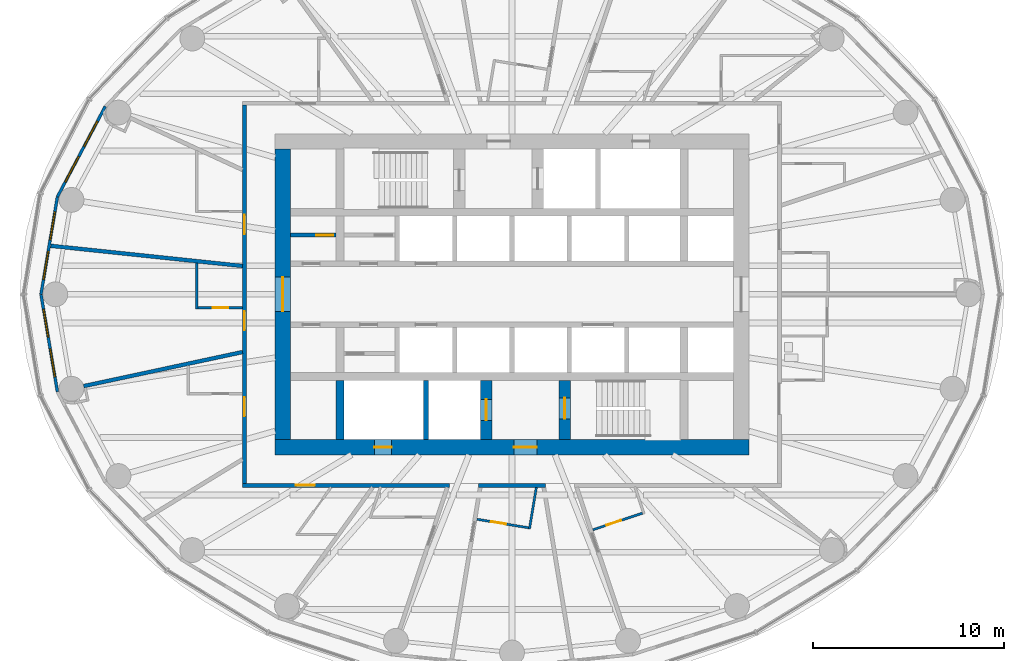
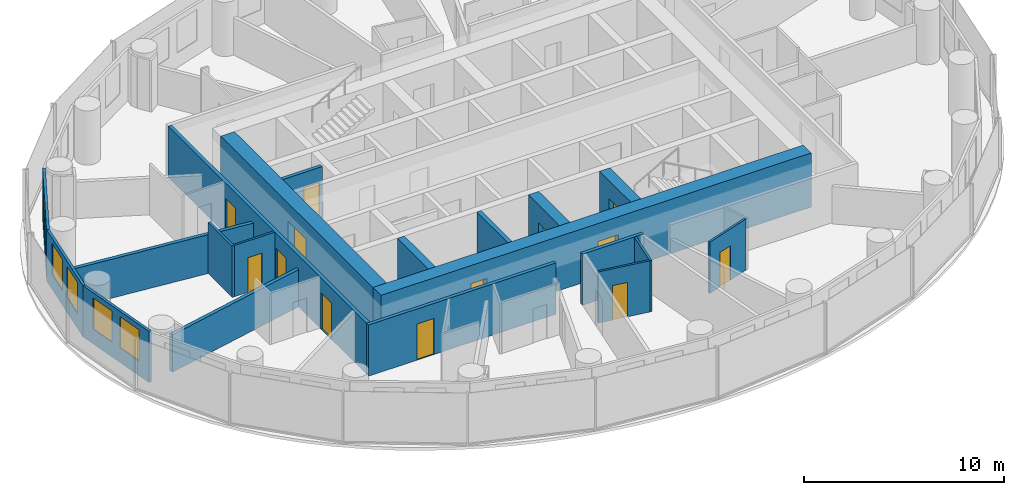
# One storey, part 7 of 13: 20 walls, 13 doors, 6 windows, 19 openings.
"""IFC4 building model written with IfcOpenShell, lengths in metres."""

from ifc_helpers import new_model, si_unit, direction, frame, frame_2d, origin, place, context, subcontext, project, spatial, rectangle, extrude, material, layer, layer_set, type_object, element, fill, save


model = new_model("IFC4")

# Units and contexts
model_context = context("Model", 3, precision=1e-05, world=origin(), true_north=direction((0.0, 1.0)))
body_context = subcontext(model_context, "Body", "Model", "MODEL_VIEW")
ifc_project = project(units=[si_unit("LENGTHUNIT", "METRE"), si_unit("AREAUNIT", "SQUARE_METRE"), si_unit("VOLUMEUNIT", "CUBIC_METRE"), si_unit("PLANEANGLEUNIT", "RADIAN"), si_unit("MASSUNIT", "GRAM", prefix="KILO")], contexts=[model_context])

# Site, building, storey
site_placement = place(None, origin())
site = spatial("IfcSite", under=ifc_project, at=site_placement, CompositionType="ELEMENT")
building_placement = place(site_placement, origin())
building = spatial("IfcBuilding", under=site, at=building_placement, Name="Hankou Lantern Tower", CompositionType="ELEMENT")
storey_placement = place(building_placement, frame((0.0, 0.0, 105.60009765625)))
storey = spatial("IfcBuildingStorey", under=building, at=storey_placement, Name="L26", CompositionType="ELEMENT", Elevation=105.60009765625)

# Wall, openings, doors
ifc_material_1 = material(Name="Concrete C60", Category="concrete")
ifc_layer_1 = layer(ifc_material_1, 0.800048828125)
ifc_layer_set_1 = layer_set([ifc_layer_1], Name="Concrete C60")
wall_type_1 = type_object("IfcWallType", Name="CW2 CORE WALL 800", PredefinedType="SHEAR", material=ifc_layer_set_1)
wall_1_placement = place(storey_placement, frame((12.39990234375, -8.0, 0.0), z_axis=(0.0, 0.0, 1.0), x_axis=(-1.0, 0.0, 0.0)))
wall_1 = element("IfcWall", 1, at=wall_1_placement, inside=storey, type_object=wall_type_1, Name="Core wall south L26", PredefinedType="SHEAR", context=body_context, shape_type="SweptSolid", body=[
    extrude(rectangle(XDim=24.7998046875, YDim=0.800048828125, at=frame_2d((12.39990234375, 0.0))), origin(), (0.0, 0.0, 1.0), 3.2998046875),
])
opening_1_placement = place(wall_1_placement, frame((11.10009765625, 0.0, 0.0)))
opening_1 = element("IfcOpeningElement", 2, at=opening_1_placement, cuts=wall_1, Name="Opening D5", PredefinedType="OPENING", context=body_context, shape_type="SweptSolid", body=[
    extrude(rectangle(XDim=1.199951171875, YDim=2.199951171875, at=frame_2d((0.60009765625, 1.10009765625))), frame((0.0, 0.409912109375, 0.0), z_axis=(0.0, -1.0, 0.0), x_axis=(1.0, 0.0, 0.0)), (0.0, 0.0, 1.0), 0.820068359375),
])
opening_2_placement = place(wall_1_placement, frame((18.699951171875, 0.0, 0.0)))
opening_2 = element("IfcOpeningElement", 3, at=opening_2_placement, cuts=wall_1, Name="Opening D7", PredefinedType="OPENING", context=body_context, shape_type="SweptSolid", body=[
    extrude(rectangle(XDim=0.89990234375, YDim=2.199951171875, at=frame_2d((0.449951171875, 1.10009765625))), frame((0.0, 0.409912109375, 0.0), z_axis=(0.0, -1.0, 0.0), x_axis=(1.0, 0.0, 0.0)), (0.0, 0.0, 1.0), 0.820068359375),
])
ifc_material_2 = material(Name="Steel door leaf", Category="steel")
door_type_1 = type_object("IfcDoorType", Name="D5 STAIR LOBBY DOOR 1200X2200", OperationType="SINGLE_SWING_LEFT", PredefinedType="DOOR", material=ifc_material_2)
door_1_placement = place(opening_1_placement, origin())
door_1 = element("IfcDoor", 4, at=door_1_placement, inside=storey, type_object=door_type_1, Name="Stair B lobby door", OperationType="SINGLE_SWING_LEFT", OverallHeight=2.199951171875, OverallWidth=1.199951171875, PredefinedType="DOOR", context=body_context, shape_type="SweptSolid", body=[
    extrude(rectangle(XDim=1.199951171875, YDim=2.199951171875, at=frame_2d((0.60009765625, 1.10009765625))), frame((0.0, 0.02490234375, 0.0), z_axis=(0.0, -1.0, 0.0), x_axis=(1.0, 0.0, 0.0)), (0.0, 0.0, 1.0), 0.050048828125),
])
fill(opening_1, door_1)
ifc_material_3 = material(Name="Steel door leaf", Category="steel")
door_type_2 = type_object("IfcDoorType", Name="D7 RISER DOOR 900X2200", OperationType="SINGLE_SWING_LEFT", PredefinedType="DOOR", material=ifc_material_3)
door_2_placement = place(opening_2_placement, origin())
door_2 = element("IfcDoor", 5, at=door_2_placement, inside=storey, type_object=door_type_2, Name="Riser S1 door", OperationType="SINGLE_SWING_RIGHT", OverallHeight=2.199951171875, OverallWidth=0.89990234375, PredefinedType="DOOR", context=body_context, shape_type="SweptSolid", body=[
    extrude(rectangle(XDim=0.89990234375, YDim=2.199951171875, at=frame_2d((0.449951171875, 1.10009765625))), frame((0.0, 0.02490234375, 0.0), z_axis=(0.0, -1.0, 0.0), x_axis=(1.0, 0.0, 0.0)), (0.0, 0.0, 1.0), 0.050048828125),
])
fill(opening_2, door_2)

# Wall, opening, door
wall_2_placement = place(storey_placement, frame((-12.0, 7.60009765625, 0.0), z_axis=(0.0, 0.0, 1.0), x_axis=(0.0, -1.0, 0.0)))
wall_2 = element("IfcWall", 6, at=wall_2_placement, inside=storey, type_object=wall_type_1, Name="Core wall west L26", PredefinedType="SHEAR", context=body_context, shape_type="SweptSolid", body=[
    extrude(rectangle(XDim=15.2001953125, YDim=0.800048828125, at=frame_2d((7.60009765625, 0.0))), origin(), (0.0, 0.0, 1.0), 3.2998046875),
])
opening_3_placement = place(wall_2_placement, frame((6.699951171875, 0.0, 0.0)))
opening_3 = element("IfcOpeningElement", 7, at=opening_3_placement, cuts=wall_2, Name="Opening D6", PredefinedType="OPENING", context=body_context, shape_type="SweptSolid", body=[
    extrude(rectangle(XDim=1.800048828125, YDim=2.199951171875, at=frame_2d((0.89990234375, 1.10009765625))), frame((0.0, 0.409912109375, 0.0), z_axis=(0.0, -1.0, 0.0), x_axis=(1.0, 0.0, 0.0)), (0.0, 0.0, 1.0), 0.820068359375),
])
ifc_material_4 = material(Name="Steel door leaf", Category="steel")
door_type_3 = type_object("IfcDoorType", Name="D6 LIFT LOBBY DOOR 1800X2200", OperationType="DOUBLE_DOOR_DOUBLE_SWING", PredefinedType="DOOR", material=ifc_material_4)
door_3_placement = place(opening_3_placement, origin())
door_3 = element("IfcDoor", 8, at=door_3_placement, inside=storey, type_object=door_type_3, Name="Lift lobby west door", OperationType="DOUBLE_DOOR_DOUBLE_SWING", OverallHeight=2.199951171875, OverallWidth=1.800048828125, PredefinedType="DOOR", context=body_context, shape_type="SweptSolid", body=[
    extrude(rectangle(XDim=1.800048828125, YDim=2.199951171875, at=frame_2d((0.89990234375, 1.10009765625))), frame((0.0, 0.02490234375, 0.0), z_axis=(0.0, -1.0, 0.0), x_axis=(1.0, 0.0, 0.0)), (0.0, 0.0, 1.0), 0.050048828125),
])
fill(opening_3, door_3)

# Wall
ifc_material_5 = material(Name="Concrete C60", Category="concrete")
ifc_layer_2 = layer(ifc_material_5, 0.39990234375)
ifc_layer_set_2 = layer_set([ifc_layer_2], Name="Concrete C60")
wall_type_2 = type_object("IfcWallType", Name="CW4 CORE CROSS WALL 400", PredefinedType="SHEAR", material=ifc_layer_set_2)
wall_3_placement = place(storey_placement, frame((-9.0, -7.60009765625, 0.0), z_axis=(0.0, 0.0, 1.0), x_axis=(0.0, 1.0, 0.0)))
element("IfcWall", 9, at=wall_3_placement, inside=storey, type_object=wall_type_2, Name="Core strip wall L26", PredefinedType="SHEAR", context=body_context, shape_type="SweptSolid", body=[
    extrude(rectangle(XDim=3.10009765625, YDim=0.39990234375, at=frame_2d((1.550048828125, 0.0))), origin(), (0.0, 0.0, 1.0), 3.2998046875),
])

# Wall, opening, door
ifc_material_6 = material(Name="Concrete C60", Category="concrete")
ifc_layer_3 = layer(ifc_material_6, 0.60009765625)
ifc_layer_set_3 = layer_set([ifc_layer_3], Name="Concrete C60")
wall_type_3 = type_object("IfcWallType", Name="CW6 STAIR AND SHAFT WALL 600", PredefinedType="SHEAR", material=ifc_layer_set_3)
wall_4_placement = place(storey_placement, frame((2.75, -7.60009765625, 0.0), z_axis=(0.0, 0.0, 1.0), x_axis=(0.0, 1.0, 0.0)))
wall_4 = element("IfcWall", 10, at=wall_4_placement, inside=storey, type_object=wall_type_3, Name="Stair wall L26", PredefinedType="SHEAR", context=body_context, shape_type="SweptSolid", body=[
    extrude(rectangle(XDim=3.10009765625, YDim=0.60009765625, at=frame_2d((1.550048828125, 0.0))), origin(), (0.0, 0.0, 1.0), 3.2998046875),
])
opening_4_placement = place(wall_4_placement, frame((1.074951171875, 0.0, 0.0)))
opening_4 = element("IfcOpeningElement", 11, at=opening_4_placement, cuts=wall_4, Name="Opening D4", PredefinedType="OPENING", context=body_context, shape_type="SweptSolid", body=[
    extrude(rectangle(XDim=1.10009765625, YDim=2.199951171875, at=frame_2d((0.550048828125, 1.10009765625))), frame((0.0, 0.31005859375, 0.0), z_axis=(0.0, -1.0, 0.0), x_axis=(1.0, 0.0, 0.0)), (0.0, 0.0, 1.0), 0.6201171875),
])
ifc_material_7 = material(Name="Steel door leaf", Category="steel")
door_type_4 = type_object("IfcDoorType", Name="D4 STAIR DOOR 1100X2200", OperationType="SINGLE_SWING_LEFT", PredefinedType="DOOR", material=ifc_material_7)
door_4_placement = place(opening_4_placement, origin())
door_4 = element("IfcDoor", 12, at=door_4_placement, inside=storey, type_object=door_type_4, Name="Stair B door", OperationType="SINGLE_SWING_RIGHT", OverallHeight=2.199951171875, OverallWidth=1.10009765625, PredefinedType="DOOR", context=body_context, shape_type="SweptSolid", body=[
    extrude(rectangle(XDim=1.10009765625, YDim=2.199951171875, at=frame_2d((0.550048828125, 1.10009765625))), frame((0.0, 0.02490234375, 0.0), z_axis=(0.0, -1.0, 0.0), x_axis=(1.0, 0.0, 0.0)), (0.0, 0.0, 1.0), 0.050048828125),
])
fill(opening_4, door_4)

wall_5_placement = place(storey_placement, frame((-1.35009765625, -7.60009765625, 0.0), z_axis=(0.0, 0.0, 1.0), x_axis=(0.0, 1.0, 0.0)))
wall_5 = element("IfcWall", 13, at=wall_5_placement, inside=storey, type_object=wall_type_3, Name="Firefighting lift shaft wall L26", PredefinedType="SHEAR", context=body_context, shape_type="SweptSolid", body=[
    extrude(rectangle(XDim=3.10009765625, YDim=0.60009765625, at=frame_2d((1.550048828125, 0.0))), origin(), (0.0, 0.0, 1.0), 3.2998046875),
])
opening_5_placement = place(wall_5_placement, frame((1.0, 0.0, 0.0)))
opening_5 = element("IfcOpeningElement", 14, at=opening_5_placement, cuts=wall_5, Name="Opening LD2", PredefinedType="OPENING", context=body_context, shape_type="SweptSolid", body=[
    extrude(rectangle(XDim=1.10009765625, YDim=2.199951171875, at=frame_2d((0.550048828125, 1.10009765625))), frame((0.0, 0.31005859375, 0.0), z_axis=(0.0, -1.0, 0.0), x_axis=(1.0, 0.0, 0.0)), (0.0, 0.0, 1.0), 0.6201171875),
])
ifc_material_8 = material(Name="Steel door leaf", Category="steel")
door_type_5 = type_object("IfcDoorType", Name="LD2 FIREFIGHTING LIFT LANDING DOOR 1100X2200", OperationType="DOUBLE_DOOR_SLIDING", PredefinedType="DOOR", material=ifc_material_8)
door_5_placement = place(opening_5_placement, origin())
door_5 = element("IfcDoor", 15, at=door_5_placement, inside=storey, type_object=door_type_5, Name="Firefighting lift FL2 landing door", OperationType="DOUBLE_DOOR_SLIDING", OverallHeight=2.199951171875, OverallWidth=1.10009765625, PredefinedType="DOOR", context=body_context, shape_type="SweptSolid", body=[
    extrude(rectangle(XDim=1.10009765625, YDim=2.199951171875, at=frame_2d((0.550048828125, 1.10009765625))), frame((0.0, 0.02490234375, 0.0), z_axis=(0.0, -1.0, 0.0), x_axis=(1.0, 0.0, 0.0)), (0.0, 0.0, 1.0), 0.050048828125),
])
fill(opening_5, door_5)

# Wall, openings, windows
ifc_material_9 = material(Name="Aluminium spandrel panel on steel studs", Category="steel")
ifc_layer_4 = layer(ifc_material_9, 0.14990234375)
ifc_layer_set_4 = layer_set([ifc_layer_4], Name="Aluminium spandrel panel on steel studs")
wall_type_4 = type_object("IfcWallType", Name="EW1 INNER SKIN WALL 150", PredefinedType="ELEMENTEDWALL", material=ifc_layer_set_4)
wall_6_placement = place(storey_placement, frame((-21.287353515625, 9.83203125, 0.0), z_axis=(0.0, 0.0, 1.0), x_axis=(-0.467814388454, -0.883826735257, 0.0)))
wall_6 = element("IfcWall", 16, at=wall_6_placement, inside=storey, type_object=wall_type_4, Name="Inner skin R11-R12 L26", PredefinedType="ELEMENTEDWALL", context=body_context, shape_type="SweptSolid", body=[
    extrude(rectangle(XDim=5.35400390625, YDim=0.14990234375, at=frame_2d((2.677001953125, 0.0))), origin(), (0.0, 0.0, 1.0), 3.119873046875),
])
opening_6_placement = place(wall_6_placement, frame((0.876953125, 0.0, 0.89990234375)))
opening_6 = element("IfcOpeningElement", 17, at=opening_6_placement, cuts=wall_6, Name="Opening W2", PredefinedType="OPENING", context=body_context, shape_type="SweptSolid", body=[
    extrude(rectangle(XDim=1.5, YDim=1.89990234375, at=frame_2d((0.75, 0.949951171875))), frame((0.0, 0.0849609375, 0.0), z_axis=(0.0, -1.0, 0.0), x_axis=(1.0, 0.0, 0.0)), (0.0, 0.0, 1.0), 0.169921875),
])
opening_7_placement = place(wall_6_placement, frame((2.97705078125, 0.0, 0.89990234375)))
opening_7 = element("IfcOpeningElement", 18, at=opening_7_placement, cuts=wall_6, Name="Opening W2", PredefinedType="OPENING", context=body_context, shape_type="SweptSolid", body=[
    extrude(rectangle(XDim=1.5, YDim=1.89990234375, at=frame_2d((0.75, 0.949951171875))), frame((0.0, 0.0849609375, 0.0), z_axis=(0.0, -1.0, 0.0), x_axis=(1.0, 0.0, 0.0)), (0.0, 0.0, 1.0), 0.169921875),
])
ifc_material_10 = material(Name="Aluminium framed double glazed window", Category="aluminium")
window_type = type_object("IfcWindowType", Name="W2 GUEST ROOM WINDOW 1500X1900", PartitioningType="DOUBLE_PANEL_VERTICAL", PredefinedType="WINDOW", material=ifc_material_10)
window_1_placement = place(opening_6_placement, origin())
window_1 = element("IfcWindow", 19, at=window_1_placement, inside=storey, type_object=window_type, Name="Window R11.1 L26", OverallHeight=1.89990234375, OverallWidth=1.5, PartitioningType="SINGLE_PANEL", PredefinedType="WINDOW", context=body_context, shape_type="SweptSolid", body=[
    extrude(rectangle(XDim=1.5, YDim=1.89990234375, at=frame_2d((0.75, 0.949951171875))), frame((0.0, 0.030029296875, 0.0), z_axis=(0.0, -1.0, 0.0), x_axis=(1.0, 0.0, 0.0)), (0.0, 0.0, 1.0), 0.06005859375),
])
fill(opening_6, window_1)
window_2_placement = place(opening_7_placement, origin())
window_2 = element("IfcWindow", 20, at=window_2_placement, inside=storey, type_object=window_type, Name="Window R11.2 L26", OverallHeight=1.89990234375, OverallWidth=1.5, PartitioningType="SINGLE_PANEL", PredefinedType="WINDOW", context=body_context, shape_type="SweptSolid", body=[
    extrude(rectangle(XDim=1.5, YDim=1.89990234375, at=frame_2d((0.75, 0.949951171875))), frame((0.0, 0.030029296875, 0.0), z_axis=(0.0, -1.0, 0.0), x_axis=(1.0, 0.0, 0.0)), (0.0, 0.0, 1.0), 0.06005859375),
])
fill(opening_7, window_2)

wall_7_placement = place(storey_placement, frame((-23.7919921875, 5.10009765625, 0.0), z_axis=(0.0, 0.0, 1.0), x_axis=(-0.165883894218, -0.986145290329, 0.0)))
wall_7 = element("IfcWall", 21, at=wall_7_placement, inside=storey, type_object=wall_type_4, Name="Inner skin R12-R13 L26", PredefinedType="ELEMENTEDWALL", context=body_context, shape_type="SweptSolid", body=[
    extrude(rectangle(XDim=5.171630859375, YDim=0.14990234375, at=frame_2d((2.5859375, 0.0))), origin(), (0.0, 0.0, 1.0), 3.119873046875),
])
opening_8_placement = place(wall_7_placement, frame((0.785888671875, 0.0, 0.89990234375)))
opening_8 = element("IfcOpeningElement", 22, at=opening_8_placement, cuts=wall_7, Name="Opening W2", PredefinedType="OPENING", context=body_context, shape_type="SweptSolid", body=[
    extrude(rectangle(XDim=1.5, YDim=1.89990234375, at=frame_2d((0.75, 0.949951171875))), frame((0.0, 0.0849609375, 0.0), z_axis=(0.0, -1.0, 0.0), x_axis=(1.0, 0.0, 0.0)), (0.0, 0.0, 1.0), 0.169921875),
])
opening_9_placement = place(wall_7_placement, frame((2.8857421875, 0.0, 0.89990234375)))
opening_9 = element("IfcOpeningElement", 23, at=opening_9_placement, cuts=wall_7, Name="Opening W2", PredefinedType="OPENING", context=body_context, shape_type="SweptSolid", body=[
    extrude(rectangle(XDim=1.5, YDim=1.89990234375, at=frame_2d((0.75, 0.949951171875))), frame((0.0, 0.0849609375, 0.0), z_axis=(0.0, -1.0, 0.0), x_axis=(1.0, 0.0, 0.0)), (0.0, 0.0, 1.0), 0.169921875),
])
window_3_placement = place(opening_8_placement, origin())
window_3 = element("IfcWindow", 24, at=window_3_placement, inside=storey, type_object=window_type, Name="Window R12.1 L26", OverallHeight=1.89990234375, OverallWidth=1.5, PartitioningType="SINGLE_PANEL", PredefinedType="WINDOW", context=body_context, shape_type="SweptSolid", body=[
    extrude(rectangle(XDim=1.5, YDim=1.89990234375, at=frame_2d((0.75, 0.949951171875))), frame((0.0, 0.030029296875, 0.0), z_axis=(0.0, -1.0, 0.0), x_axis=(1.0, 0.0, 0.0)), (0.0, 0.0, 1.0), 0.06005859375),
])
fill(opening_8, window_3)
window_4_placement = place(opening_9_placement, origin())
window_4 = element("IfcWindow", 25, at=window_4_placement, inside=storey, type_object=window_type, Name="Window R12.2 L26", OverallHeight=1.89990234375, OverallWidth=1.5, PartitioningType="SINGLE_PANEL", PredefinedType="WINDOW", context=body_context, shape_type="SweptSolid", body=[
    extrude(rectangle(XDim=1.5, YDim=1.89990234375, at=frame_2d((0.75, 0.949951171875))), frame((0.0, 0.030029296875, 0.0), z_axis=(0.0, -1.0, 0.0), x_axis=(1.0, 0.0, 0.0)), (0.0, 0.0, 1.0), 0.06005859375),
])
fill(opening_9, window_4)

wall_8_placement = place(storey_placement, frame((-24.64990234375, 0.0, 0.0), z_axis=(0.0, 0.0, 1.0), x_axis=(0.165883894218, -0.986145290329, 0.0)))
wall_8 = element("IfcWall", 26, at=wall_8_placement, inside=storey, type_object=wall_type_4, Name="Inner skin R13-R14 L26", PredefinedType="ELEMENTEDWALL", context=body_context, shape_type="SweptSolid", body=[
    extrude(rectangle(XDim=5.171630859375, YDim=0.14990234375, at=frame_2d((2.5859375, 0.0))), origin(), (0.0, 0.0, 1.0), 3.119873046875),
])
opening_10_placement = place(wall_8_placement, frame((0.785888671875, 0.0, 0.89990234375)))
opening_10 = element("IfcOpeningElement", 27, at=opening_10_placement, cuts=wall_8, Name="Opening W2", PredefinedType="OPENING", context=body_context, shape_type="SweptSolid", body=[
    extrude(rectangle(XDim=1.5, YDim=1.89990234375, at=frame_2d((0.75, 0.949951171875))), frame((0.0, 0.0849609375, 0.0), z_axis=(0.0, -1.0, 0.0), x_axis=(1.0, 0.0, 0.0)), (0.0, 0.0, 1.0), 0.169921875),
])
opening_11_placement = place(wall_8_placement, frame((2.8857421875, 0.0, 0.89990234375)))
opening_11 = element("IfcOpeningElement", 28, at=opening_11_placement, cuts=wall_8, Name="Opening W2", PredefinedType="OPENING", context=body_context, shape_type="SweptSolid", body=[
    extrude(rectangle(XDim=1.5, YDim=1.89990234375, at=frame_2d((0.75, 0.949951171875))), frame((0.0, 0.0849609375, 0.0), z_axis=(0.0, -1.0, 0.0), x_axis=(1.0, 0.0, 0.0)), (0.0, 0.0, 1.0), 0.169921875),
])
window_5_placement = place(opening_10_placement, origin())
window_5 = element("IfcWindow", 29, at=window_5_placement, inside=storey, type_object=window_type, Name="Window R13.1 L26", OverallHeight=1.89990234375, OverallWidth=1.5, PartitioningType="SINGLE_PANEL", PredefinedType="WINDOW", context=body_context, shape_type="SweptSolid", body=[
    extrude(rectangle(XDim=1.5, YDim=1.89990234375, at=frame_2d((0.75, 0.949951171875))), frame((0.0, 0.030029296875, 0.0), z_axis=(0.0, -1.0, 0.0), x_axis=(1.0, 0.0, 0.0)), (0.0, 0.0, 1.0), 0.06005859375),
])
fill(opening_10, window_5)
window_6_placement = place(opening_11_placement, origin())
window_6 = element("IfcWindow", 30, at=window_6_placement, inside=storey, type_object=window_type, Name="Window R13.2 L26", OverallHeight=1.89990234375, OverallWidth=1.5, PartitioningType="SINGLE_PANEL", PredefinedType="WINDOW", context=body_context, shape_type="SweptSolid", body=[
    extrude(rectangle(XDim=1.5, YDim=1.89990234375, at=frame_2d((0.75, 0.949951171875))), frame((0.0, 0.030029296875, 0.0), z_axis=(0.0, -1.0, 0.0), x_axis=(1.0, 0.0, 0.0)), (0.0, 0.0, 1.0), 0.06005859375),
])
fill(opening_11, window_6)

# Walls
ifc_material_11 = material(Name="Masonry lightweight concrete block", Category="masonry")
ifc_layer_5 = layer(ifc_material_11, 0.199951171875)
ifc_layer_set_5 = layer_set([ifc_layer_5], Name="Masonry lightweight concrete block")
wall_type_5 = type_object("IfcWallType", Name="IW1 GUEST ROOM PARTY WALL 200", PredefinedType="PARTITIONING", material=ifc_layer_set_5)
wall_9_placement = place(storey_placement, frame((-14.10009765625, 1.481689453125, 0.0), z_axis=(0.0, 0.0, 1.0), x_axis=(-0.994523202615, 0.104516024894, 0.0)))
element("IfcWall", 31, at=wall_9_placement, inside=storey, type_object=wall_type_5, Name="Party wall R12-R13", PredefinedType="PARTITIONING", context=body_context, shape_type="SweptSolid", body=[
    extrude(rectangle(XDim=10.091064453125, YDim=0.199951171875, at=frame_2d((5.04541015625, 0.0))), origin(), (0.0, 0.0, 1.0), 2.369873046875),
])
wall_10_placement = place(storey_placement, frame((-14.10009765625, -3.0224609375, 0.0), z_axis=(0.0, 0.0, 1.0), x_axis=(-0.977783513367, -0.209617272638, 0.0)))
element("IfcWall", 32, at=wall_10_placement, inside=storey, type_object=wall_type_5, Name="Party wall R14", PredefinedType="PARTITIONING", context=body_context, shape_type="SweptSolid", body=[
    extrude(rectangle(XDim=8.508056640625, YDim=0.199951171875, at=frame_2d((4.25390625, 0.0))), origin(), (0.0, 0.0, 1.0), 2.27001953125),
])

# Wall, openings, doors
ifc_material_12 = material(Name="Masonry lightweight concrete block", Category="masonry")
ifc_layer_6 = layer(ifc_material_12, 0.199951171875)
ifc_layer_set_6 = layer_set([ifc_layer_6], Name="Masonry lightweight concrete block")
wall_type_6 = type_object("IfcWallType", Name="IW2 CORRIDOR WALL 200", PredefinedType="PARTITIONING", material=ifc_layer_set_6)
wall_11_placement = place(storey_placement, frame((-14.0, 9.89990234375, 0.0), z_axis=(0.0, 0.0, 1.0), x_axis=(0.0, -1.0, 0.0)))
wall_11 = element("IfcWall", 33, at=wall_11_placement, inside=storey, type_object=wall_type_6, Name="Corridor wall west", PredefinedType="PARTITIONING", context=body_context, shape_type="SweptSolid", body=[
    extrude(rectangle(XDim=19.7998046875, YDim=0.199951171875, at=frame_2d((9.89990234375, 0.0))), origin(), (0.0, 0.0, 1.0), 3.119873046875),
])
opening_12_placement = place(wall_11_placement, frame((5.74755859375, 0.0, 0.0)))
opening_12 = element("IfcOpeningElement", 34, at=opening_12_placement, cuts=wall_11, Name="Opening D1", PredefinedType="OPENING", context=body_context, shape_type="SweptSolid", body=[
    extrude(rectangle(XDim=1.0, YDim=2.199951171875, at=frame_2d((0.5, 1.10009765625))), frame((0.0, 0.10986328125, 0.0), z_axis=(0.0, -1.0, 0.0), x_axis=(1.0, 0.0, 0.0)), (0.0, 0.0, 1.0), 0.219970703125),
])
opening_13_placement = place(wall_11_placement, frame((10.7783203125, 0.0, 0.0)))
opening_13 = element("IfcOpeningElement", 35, at=opening_13_placement, cuts=wall_11, Name="Opening D1", PredefinedType="OPENING", context=body_context, shape_type="SweptSolid", body=[
    extrude(rectangle(XDim=1.0, YDim=2.199951171875, at=frame_2d((0.5, 1.10009765625))), frame((0.0, 0.10986328125, 0.0), z_axis=(0.0, -1.0, 0.0), x_axis=(1.0, 0.0, 0.0)), (0.0, 0.0, 1.0), 0.219970703125),
])
opening_14_placement = place(wall_11_placement, frame((15.282470703125, 0.0, 0.0)))
opening_14 = element("IfcOpeningElement", 36, at=opening_14_placement, cuts=wall_11, Name="Opening D1", PredefinedType="OPENING", context=body_context, shape_type="SweptSolid", body=[
    extrude(rectangle(XDim=1.0, YDim=2.199951171875, at=frame_2d((0.5, 1.10009765625))), frame((0.0, 0.10986328125, 0.0), z_axis=(0.0, -1.0, 0.0), x_axis=(1.0, 0.0, 0.0)), (0.0, 0.0, 1.0), 0.219970703125),
])
ifc_material_13 = material(Name="Steel door leaf", Category="steel")
door_type_6 = type_object("IfcDoorType", Name="D1 GUEST ROOM DOOR 1000X2200", OperationType="SINGLE_SWING_LEFT", PredefinedType="DOOR", material=ifc_material_13)
door_6_placement = place(opening_12_placement, origin())
door_6 = element("IfcDoor", 37, at=door_6_placement, inside=storey, type_object=door_type_6, Name="Guest room door 2606", OperationType="SINGLE_SWING_LEFT", OverallHeight=2.199951171875, OverallWidth=1.0, PredefinedType="DOOR", context=body_context, shape_type="SweptSolid", body=[
    extrude(rectangle(XDim=1.0, YDim=2.199951171875, at=frame_2d((0.5, 1.10009765625))), frame((0.0, 0.02490234375, 0.0), z_axis=(0.0, -1.0, 0.0), x_axis=(1.0, 0.0, 0.0)), (0.0, 0.0, 1.0), 0.050048828125),
])
fill(opening_12, door_6)
door_7_placement = place(opening_13_placement, origin())
door_7 = element("IfcDoor", 38, at=door_7_placement, inside=storey, type_object=door_type_6, Name="Guest room door 2607", OperationType="SINGLE_SWING_RIGHT", OverallHeight=2.199951171875, OverallWidth=1.0, PredefinedType="DOOR", context=body_context, shape_type="SweptSolid", body=[
    extrude(rectangle(XDim=1.0, YDim=2.199951171875, at=frame_2d((0.5, 1.10009765625))), frame((0.0, 0.02490234375, 0.0), z_axis=(0.0, -1.0, 0.0), x_axis=(1.0, 0.0, 0.0)), (0.0, 0.0, 1.0), 0.050048828125),
])
fill(opening_13, door_7)
door_8_placement = place(opening_14_placement, origin())
door_8 = element("IfcDoor", 39, at=door_8_placement, inside=storey, type_object=door_type_6, Name="Guest room door 2608", OperationType="SINGLE_SWING_RIGHT", OverallHeight=2.199951171875, OverallWidth=1.0, PredefinedType="DOOR", context=body_context, shape_type="SweptSolid", body=[
    extrude(rectangle(XDim=1.0, YDim=2.199951171875, at=frame_2d((0.5, 1.10009765625))), frame((0.0, 0.02490234375, 0.0), z_axis=(0.0, -1.0, 0.0), x_axis=(1.0, 0.0, 0.0)), (0.0, 0.0, 1.0), 0.050048828125),
])
fill(opening_14, door_8)

# Wall
wall_12_placement = place(storey_placement, frame((1.76513671875, -10.0, 0.0), z_axis=(0.0, 0.0, 1.0), x_axis=(-1.0, 0.0, 0.0)))
element("IfcWall", 40, at=wall_12_placement, inside=storey, type_object=wall_type_6, Name="Corridor wall south", PredefinedType="PARTITIONING", context=body_context, shape_type="SweptSolid", body=[
    extrude(rectangle(XDim=3.5302734375, YDim=0.199951171875, at=frame_2d((1.76513671875, 0.0))), origin(), (0.0, 0.0, 1.0), 3.119873046875),
])

# Wall, opening, door
wall_13_placement = place(storey_placement, frame((-3.282958984375, -10.0, 0.0), z_axis=(0.0, 0.0, 1.0), x_axis=(-1.0, 0.0, 0.0)))
wall_13 = element("IfcWall", 41, at=wall_13_placement, inside=storey, type_object=wall_type_6, Name="Corridor wall south", PredefinedType="PARTITIONING", context=body_context, shape_type="SweptSolid", body=[
    extrude(rectangle(XDim=10.817138671875, YDim=0.199951171875, at=frame_2d((5.40869140625, 0.0))), origin(), (0.0, 0.0, 1.0), 3.119873046875),
])
opening_15_placement = place(wall_13_placement, frame((7.030029296875, 0.0, 0.0)))
opening_15 = element("IfcOpeningElement", 42, at=opening_15_placement, cuts=wall_13, Name="Opening D1", PredefinedType="OPENING", context=body_context, shape_type="SweptSolid", body=[
    extrude(rectangle(XDim=1.0, YDim=2.199951171875, at=frame_2d((0.5, 1.10009765625))), frame((0.0, 0.10986328125, 0.0), z_axis=(0.0, -1.0, 0.0), x_axis=(1.0, 0.0, 0.0)), (0.0, 0.0, 1.0), 0.219970703125),
])
door_9_placement = place(opening_15_placement, origin())
door_9 = element("IfcDoor", 43, at=door_9_placement, inside=storey, type_object=door_type_6, Name="Guest room door 2609", OperationType="SINGLE_SWING_LEFT", OverallHeight=2.199951171875, OverallWidth=1.0, PredefinedType="DOOR", context=body_context, shape_type="SweptSolid", body=[
    extrude(rectangle(XDim=1.0, YDim=2.199951171875, at=frame_2d((0.5, 1.10009765625))), frame((0.0, 0.02490234375, 0.0), z_axis=(0.0, -1.0, 0.0), x_axis=(1.0, 0.0, 0.0)), (0.0, 0.0, 1.0), 0.050048828125),
])
fill(opening_15, door_9)

# Wall
ifc_material_14 = material(Name="Masonry lightweight concrete block", Category="masonry")
ifc_layer_7 = layer(ifc_material_14, 0.1201171875)
ifc_layer_set_7 = layer_set([ifc_layer_7], Name="Masonry lightweight concrete block")
wall_type_7 = type_object("IfcWallType", Name="IW3 BATHROOM WALL 120", PredefinedType="PARTITIONING", material=ifc_layer_set_7)
wall_14_placement = place(storey_placement, frame((-16.5, 1.634033203125, 0.0), z_axis=(0.0, 0.0, 1.0), x_axis=(0.0, -1.0, 0.0)))
element("IfcWall", 44, at=wall_14_placement, inside=storey, type_object=wall_type_7, Name="Box wall 2607 1", PredefinedType="PARTITIONING", context=body_context, shape_type="SweptSolid", body=[
    extrude(rectangle(XDim=2.392333984375, YDim=0.1201171875, at=frame_2d((1.1962890625, 0.0))), origin(), (0.0, 0.0, 1.0), 3.119873046875),
])

# Wall, opening, door
wall_15_placement = place(storey_placement, frame((-14.10009765625, -0.6982421875, 0.0), z_axis=(0.0, 0.0, 1.0), x_axis=(-1.0, 0.0, 0.0)))
wall_15 = element("IfcWall", 45, at=wall_15_placement, inside=storey, type_object=wall_type_7, Name="Box wall 2607 1", PredefinedType="PARTITIONING", context=body_context, shape_type="SweptSolid", body=[
    extrude(rectangle(XDim=2.33984375, YDim=0.1201171875, at=frame_2d((1.169921875, 0.0))), origin(), (0.0, 0.0, 1.0), 3.119873046875),
])
opening_16_placement = place(wall_15_placement, frame((0.75, 0.0, 0.0)))
opening_16 = element("IfcOpeningElement", 46, at=opening_16_placement, cuts=wall_15, Name="Opening D3", PredefinedType="OPENING", context=body_context, shape_type="SweptSolid", body=[
    extrude(rectangle(XDim=0.800048828125, YDim=2.10009765625, at=frame_2d((0.39990234375, 1.050048828125))), frame((0.0, 0.070068359375, 0.0), z_axis=(0.0, -1.0, 0.0), x_axis=(1.0, 0.0, 0.0)), (0.0, 0.0, 1.0), 0.14013671875),
])
ifc_material_15 = material(Name="Timber door leaf", Category="wood")
door_type_7 = type_object("IfcDoorType", Name="D3 BATHROOM DOOR 800X2100", OperationType="SINGLE_SWING_LEFT", PredefinedType="DOOR", material=ifc_material_15)
door_10_placement = place(opening_16_placement, origin())
door_10 = element("IfcDoor", 47, at=door_10_placement, inside=storey, type_object=door_type_7, Name="En-suite bathroom 2607 door", OperationType="SINGLE_SWING_LEFT", OverallHeight=2.10009765625, OverallWidth=0.800048828125, PredefinedType="DOOR", context=body_context, shape_type="SweptSolid", body=[
    extrude(rectangle(XDim=0.800048828125, YDim=2.10009765625, at=frame_2d((0.39990234375, 1.050048828125))), frame((0.0, 0.02490234375, 0.0), z_axis=(0.0, -1.0, 0.0), x_axis=(1.0, 0.0, 0.0)), (0.0, 0.0, 1.0), 0.050048828125),
])
fill(opening_16, door_10)

# Wall
wall_16_placement = place(storey_placement, frame((1.271240234375, -10.1162109375, 0.0), z_axis=(0.0, 0.0, 1.0), x_axis=(-0.162672481395, -0.986680122328, 0.0)))
element("IfcWall", 48, at=wall_16_placement, inside=storey, type_object=wall_type_7, Name="Box wall 2612 1", PredefinedType="PARTITIONING", context=body_context, shape_type="SweptSolid", body=[
    extrude(rectangle(XDim=2.20166015625, YDim=0.1201171875, at=frame_2d((1.100830078125, 0.0))), origin(), (0.0, 0.0, 1.0), 3.119873046875),
])

# Wall, opening, door
wall_17_placement = place(storey_placement, frame((-1.83984375, -11.77392578125, 0.0), z_axis=(0.0, 0.0, 1.0), x_axis=(0.986676602341, -0.162693830222, 0.0)))
wall_17 = element("IfcWall", 49, at=wall_17_placement, inside=storey, type_object=wall_type_7, Name="Box wall 2612 1", PredefinedType="PARTITIONING", context=body_context, shape_type="SweptSolid", body=[
    extrude(rectangle(XDim=2.740234375, YDim=0.1201171875, at=frame_2d((1.3701171875, 0.0))), origin(), (0.0, 0.0, 1.0), 3.119873046875),
])
opening_17_placement = place(wall_17_placement, frame((0.75, 0.0, 0.0)))
opening_17 = element("IfcOpeningElement", 50, at=opening_17_placement, cuts=wall_17, Name="Opening D3", PredefinedType="OPENING", context=body_context, shape_type="SweptSolid", body=[
    extrude(rectangle(XDim=0.800048828125, YDim=2.10009765625, at=frame_2d((0.39990234375, 1.050048828125))), frame((0.0, 0.070068359375, 0.0), z_axis=(0.0, -1.0, 0.0), x_axis=(1.0, 0.0, 0.0)), (0.0, 0.0, 1.0), 0.14013671875),
])
door_11_placement = place(opening_17_placement, origin())
door_11 = element("IfcDoor", 51, at=door_11_placement, inside=storey, type_object=door_type_7, Name="En-suite bathroom 2612 door", OperationType="SINGLE_SWING_LEFT", OverallHeight=2.10009765625, OverallWidth=0.800048828125, PredefinedType="DOOR", context=body_context, shape_type="SweptSolid", body=[
    extrude(rectangle(XDim=0.800048828125, YDim=2.10009765625, at=frame_2d((0.39990234375, 1.050048828125))), frame((0.0, 0.02490234375, 0.0), z_axis=(0.0, -1.0, 0.0), x_axis=(1.0, 0.0, 0.0)), (0.0, 0.0, 1.0), 0.050048828125),
])
fill(opening_17, door_11)

wall_18_placement = place(storey_placement, frame((4.233642578125, -12.324951171875, 0.0), z_axis=(0.0, 0.0, 1.0), x_axis=(0.948236840279, 0.317564001011, 0.0)))
wall_18 = element("IfcWall", 52, at=wall_18_placement, inside=storey, type_object=wall_type_7, Name="Box wall 2614 1", PredefinedType="PARTITIONING", context=body_context, shape_type="SweptSolid", body=[
    extrude(rectangle(XDim=2.739990234375, YDim=0.1201171875, at=frame_2d((1.3701171875, 0.0))), origin(), (0.0, 0.0, 1.0), 3.119873046875),
])
opening_18_placement = place(wall_18_placement, frame((0.75, 0.0, 0.0)))
opening_18 = element("IfcOpeningElement", 53, at=opening_18_placement, cuts=wall_18, Name="Opening D3", PredefinedType="OPENING", context=body_context, shape_type="SweptSolid", body=[
    extrude(rectangle(XDim=0.800048828125, YDim=2.10009765625, at=frame_2d((0.39990234375, 1.050048828125))), frame((0.0, 0.070068359375, 0.0), z_axis=(0.0, -1.0, 0.0), x_axis=(1.0, 0.0, 0.0)), (0.0, 0.0, 1.0), 0.14013671875),
])
door_12_placement = place(opening_18_placement, origin())
door_12 = element("IfcDoor", 54, at=door_12_placement, inside=storey, type_object=door_type_7, Name="Junior suite 2614 bathroom door", OperationType="SINGLE_SWING_LEFT", OverallHeight=2.10009765625, OverallWidth=0.800048828125, PredefinedType="DOOR", context=body_context, shape_type="SweptSolid", body=[
    extrude(rectangle(XDim=0.800048828125, YDim=2.10009765625, at=frame_2d((0.39990234375, 1.050048828125))), frame((0.0, 0.02490234375, 0.0), z_axis=(0.0, -1.0, 0.0), x_axis=(1.0, 0.0, 0.0)), (0.0, 0.0, 1.0), 0.050048828125),
])
fill(opening_18, door_12)

ifc_material_16 = material(Name="Masonry lightweight concrete block", Category="masonry")
ifc_layer_8 = layer(ifc_material_16, 0.199951171875)
ifc_layer_set_8 = layer_set([ifc_layer_8], Name="Masonry lightweight concrete block")
wall_type_8 = type_object("IfcWallType", Name="IW8 PARTITION 200", PredefinedType="PARTITIONING", material=ifc_layer_set_8)
wall_19_placement = place(storey_placement, frame((-11.60009765625, 3.10009765625, 0.0), z_axis=(0.0, 0.0, 1.0), x_axis=(1.0, 0.0, 0.0)))
wall_19 = element("IfcWall", 55, at=wall_19_placement, inside=storey, type_object=wall_type_8, Name="Partition guest pantry and ice room", PredefinedType="PARTITIONING", context=body_context, shape_type="SweptSolid", body=[
    extrude(rectangle(XDim=2.400146484375, YDim=0.199951171875, at=frame_2d((1.2001953125, 0.0))), origin(), (0.0, 0.0, 1.0), 3.119873046875),
])
opening_19_placement = place(wall_19_placement, frame((1.35009765625, 0.0, 0.0)))
opening_19 = element("IfcOpeningElement", 56, at=opening_19_placement, cuts=wall_19, Name="Opening D12", PredefinedType="OPENING", context=body_context, shape_type="SweptSolid", body=[
    extrude(rectangle(XDim=0.89990234375, YDim=2.199951171875, at=frame_2d((0.449951171875, 1.10009765625))), frame((0.0, 0.10986328125, 0.0), z_axis=(0.0, -1.0, 0.0), x_axis=(1.0, 0.0, 0.0)), (0.0, 0.0, 1.0), 0.219970703125),
])
ifc_material_17 = material(Name="Steel door leaf", Category="steel")
door_type_8 = type_object("IfcDoorType", Name="D12 STORE DOOR 900X2200", OperationType="SINGLE_SWING_LEFT", PredefinedType="DOOR", material=ifc_material_17)
door_13_placement = place(opening_19_placement, origin())
door_13 = element("IfcDoor", 57, at=door_13_placement, inside=storey, type_object=door_type_8, Name="Ice machine cupboard door", OperationType="SINGLE_SWING_RIGHT", OverallHeight=2.199951171875, OverallWidth=0.89990234375, PredefinedType="DOOR", context=body_context, shape_type="SweptSolid", body=[
    extrude(rectangle(XDim=0.89990234375, YDim=2.199951171875, at=frame_2d((0.449951171875, 1.10009765625))), frame((0.0, 0.02490234375, 0.0), z_axis=(0.0, -1.0, 0.0), x_axis=(1.0, 0.0, 0.0)), (0.0, 0.0, 1.0), 0.050048828125),
])
fill(opening_19, door_13)

# Wall
ifc_material_18 = material(Name="Masonry autoclaved aerated concrete block", Category="masonry")
ifc_layer_9 = layer(ifc_material_18, 0.25)
ifc_layer_set_9 = layer_set([ifc_layer_9], Name="Masonry autoclaved aerated concrete block")
wall_type_9 = type_object("IfcWallType", Name="SW1 SHAFT BLOCK WALL 250", PredefinedType="PARTITIONING", material=ifc_layer_set_9)
wall_20_placement = place(storey_placement, frame((-4.5, -7.60009765625, 0.0), z_axis=(0.0, 0.0, 1.0), x_axis=(0.0, 1.0, 0.0)))
element("IfcWall", 58, at=wall_20_placement, inside=storey, type_object=wall_type_9, Name="Riser wall L26", PredefinedType="PARTITIONING", context=body_context, shape_type="SweptSolid", body=[
    extrude(rectangle(XDim=3.10009765625, YDim=0.25, at=frame_2d((1.550048828125, 0.0))), origin(), (0.0, 0.0, 1.0), 3.2998046875),
])

save(model, "model.ifc")
